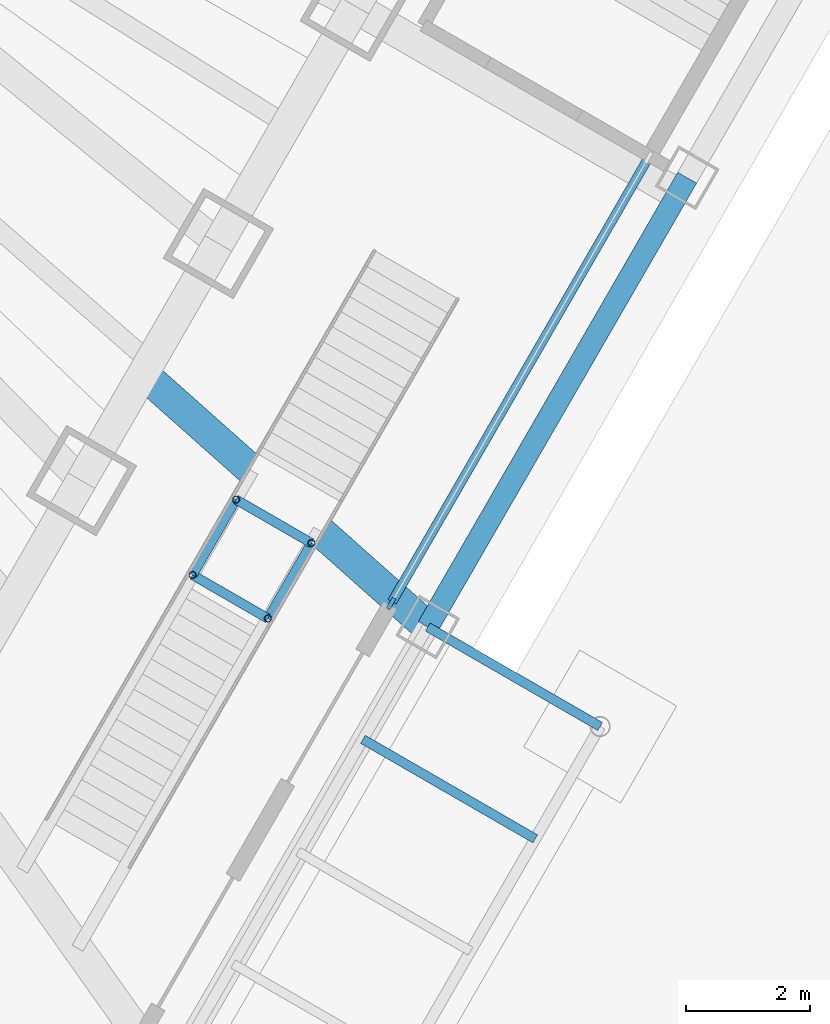
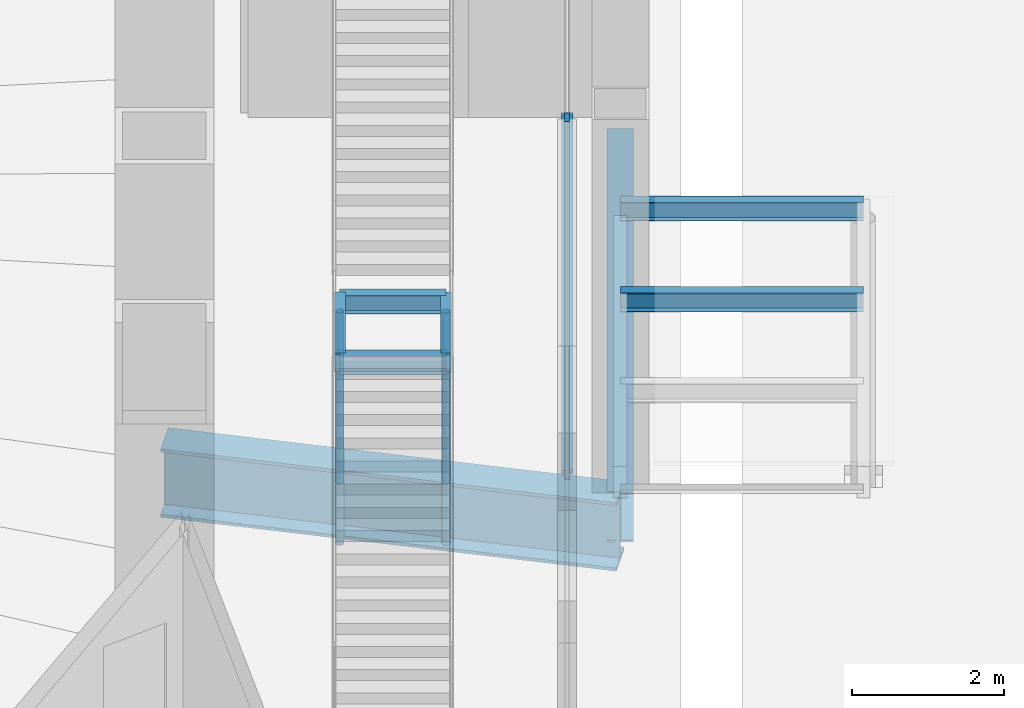
# One storey, part 15 of 45: 8 beams, 6 members, 1 element without a shape of its own.
"""IFC4 building model written with IfcOpenShell, lengths in metres."""

import ifcopenshell
import ifcopenshell.guid

model = None  # the IFC model being written
_history = None  # IfcOwnerHistory: only IFC2X3 demands one
_inside = {}  # id of a spatial element -> (the spatial element, [elements in it])
_under = {}  # id of a project, library or spatial element -> (it, [spatial elements below it])
_declared = {}  # id of a project -> (the project, [libraries it declares])
_typed = {}  # id of a type object -> (the type object, [elements of that type])
_made_of = {}  # id of a material, layer set ... -> (it, [elements and type objects made of it])


def new_model(schema):
    """Start an empty IFC model of exactly this schema.

    Asked for "IFC4X3", IfcOpenShell would pick the latest addendum, in which some entities
    have other attributes; the version numbers below select the first issue.
    IFC2X3 requires an IfcOwnerHistory on every rooted entity: one is made here for all.
    """
    global model, _history
    if schema == "IFC4X3":
        model = ifcopenshell.file(schema_version=(4, 3, 0, 0))
    else:
        model = ifcopenshell.file(schema=schema)
    _inside.clear()
    _under.clear()
    _declared.clear()
    _typed.clear()
    _made_of.clear()
    _history = None
    if model.schema == "IFC2X3":
        org = make("IfcOrganization", Name="unknown")
        user = make(
            "IfcPersonAndOrganization",
            ThePerson=make("IfcPerson", FamilyName="unknown"),
            TheOrganization=org,
        )
        app = make(
            "IfcApplication",
            ApplicationDeveloper=org,
            Version="unknown",
            ApplicationFullName="unknown",
            ApplicationIdentifier="unknown",
        )
        _history = make(
            "IfcOwnerHistory",
            OwningUser=user,
            OwningApplication=app,
            ChangeAction="ADDED",
            CreationDate=0,
        )
    return model


def make(cls, **values):
    """One entity of the class cls with the attributes given. An attribute that is None is left unset."""
    return model.create_entity(
        cls, **{name: value for name, value in values.items() if value is not None}
    )


def rooted(cls, **values):
    """An entity with a GlobalId (a new one), such as an element, a storey or a relation."""
    return make(cls, GlobalId=ifcopenshell.guid.new(), OwnerHistory=_history, **values)


def si_unit(unit_type, name, prefix=None):
    """IfcSIUnit, for example si_unit("LENGTHUNIT", "METRE", prefix="MILLI")."""
    return make("IfcSIUnit", UnitType=unit_type, Prefix=prefix, Name=name)


def assignment(units):
    """IfcUnitAssignment: the units of a project."""
    return None if units is None else make("IfcUnitAssignment", Units=units)


def point(xyz):
    """IfcCartesianPoint."""
    return None if xyz is None else make("IfcCartesianPoint", Coordinates=xyz)


def direction(xyz):
    """IfcDirection."""
    return None if xyz is None else make("IfcDirection", DirectionRatios=xyz)


def frame(location, z_axis=None, x_axis=None):
    """IfcAxis2Placement3D, a coordinate frame: its origin and axes. An axis left out is left unset."""
    return make(
        "IfcAxis2Placement3D",
        Location=point(location),
        Axis=direction(z_axis),
        RefDirection=direction(x_axis),
    )


def frame_2d(location, x_axis=None):
    """IfcAxis2Placement2D, a coordinate frame in the plane: its origin and x axis."""
    return make(
        "IfcAxis2Placement2D", Location=point(location), RefDirection=direction(x_axis)
    )


def origin():
    """The frame at (0, 0, 0) with its axes left unset."""
    return frame((0.0, 0.0, 0.0))


def origin_2d():
    """The frame at (0, 0) in the plane with its x axis left unset."""
    return frame_2d((0.0, 0.0))


def place(relative_to, where):
    """IfcLocalPlacement: puts the frame where relative to a parent placement (None: the world)."""
    return make(
        "IfcLocalPlacement", PlacementRelTo=relative_to, RelativePlacement=where
    )


def context(
    kind, dimensions, precision=None, world=None, true_north=None, identifier=None
):
    """IfcGeometricRepresentationContext, for example the 3D "Model" context."""
    return make(
        "IfcGeometricRepresentationContext",
        ContextIdentifier=identifier,
        ContextType=kind,
        CoordinateSpaceDimension=dimensions,
        Precision=precision,
        WorldCoordinateSystem=world,
        TrueNorth=true_north,
    )


def subcontext(parent, identifier, kind, view, scale=None):
    """IfcGeometricRepresentationSubContext, for example "Body" below "Model"."""
    return make(
        "IfcGeometricRepresentationSubContext",
        ContextIdentifier=identifier,
        ContextType=kind,
        ParentContext=parent,
        TargetScale=scale,
        TargetView=view,
    )


def project(units=None, contexts=None):
    """IfcProject with its units and contexts."""
    return rooted(
        "IfcProject",
        Name="project",
        RepresentationContexts=contexts,
        UnitsInContext=assignment(units),
    )


def spatial(cls, under=None, at=None, **own):
    """A site, building, storey or space (cls), placed at a placement, below another one or the project."""
    s = rooted(cls, ObjectPlacement=at, **own)
    if under is not None:
        _under.setdefault(under.id(), (under, []))[1].append(s)
    return s


def profile(cls, at=None, kind="AREA", **sizes):
    """A parametric profile (cls). Its sizes go by their IFC names, for example OverallWidth=200.0."""
    return make(cls, ProfileType=kind, Position=at, **sizes)


def rectangle(**sizes):
    """IfcRectangleProfileDef."""
    return profile("IfcRectangleProfileDef", **sizes)


def hollow_circle(**sizes):
    """IfcCircleHollowProfileDef."""
    return profile("IfcCircleHollowProfileDef", **sizes)


def i_section(**sizes):
    """IfcIShapeProfileDef."""
    return profile("IfcIShapeProfileDef", **sizes)


def extrude(swept, where, along, depth):
    """IfcExtrudedAreaSolid: the profile swept, set in the frame where, extruded along a direction by depth."""
    return make(
        "IfcExtrudedAreaSolid",
        SweptArea=swept,
        Position=where,
        ExtrudedDirection=direction(along),
        Depth=depth,
    )


def shape(context_of_items, identifier, shape_type, items):
    """IfcShapeRepresentation: the items that make up one representation, for example the "Body"."""
    return make(
        "IfcShapeRepresentation",
        ContextOfItems=context_of_items,
        RepresentationIdentifier=identifier,
        RepresentationType=shape_type,
        Items=items,
    )


def material(Name=None, Category=None):
    """IfcMaterial."""
    return make("IfcMaterial", Name=Name, Category=Category)


def material_profile(
    of_material, cross_section, Name=None, Category=None, Priority=None
):
    """IfcMaterialProfile: a cross section and its material."""
    return make(
        "IfcMaterialProfile",
        Name=Name,
        Material=of_material,
        Profile=cross_section,
        Priority=Priority,
        Category=Category,
    )


def profile_set(profiles, Name=None, composite=None):
    """IfcMaterialProfileSet."""
    return make(
        "IfcMaterialProfileSet",
        Name=Name,
        MaterialProfiles=profiles,
        CompositeProfile=composite,
    )


def made_of(thing, what):
    """Note that an element or type object is made of a material, layer set ...; save() writes the relation."""
    if what is not None:
        _made_of.setdefault(what.id(), (what, []))[1].append(thing)
    return thing


def type_object(cls, material=None, **own):
    """A type object (cls), such as IfcWallType, which elements share."""
    return made_of(rooted(cls, **own), material)


def element(
    cls,
    number,
    at=None,
    inside=None,
    cuts=None,
    type_object=None,
    material=None,
    context=None,
    identifier="Body",
    shape_type=None,
    held_by="IfcProductDefinitionShape",
    body=None,
    shapes=None,
    **own,
):
    """One element of the class cls, such as IfcWall. Its Tag is "e" and its number.

    at: its placement. inside: the storey or other place that contains it. cuts: it is an
    opening in that element (IfcRelVoidsElement). A single representation is given by context,
    identifier, shape_type and body (its items); several are given by shapes. held_by: the class
    of the entity that holds the representations. save() writes the other relations.
    """
    e = rooted(cls, Tag="e%d" % number, ObjectPlacement=at, **own)
    if body is not None:
        shapes = [shape(context, identifier, shape_type, body)]
    if shapes is not None:
        e.Representation = make(held_by, Representations=shapes)
    if inside is not None:
        _inside.setdefault(inside.id(), (inside, []))[1].append(e)
    if cuts is not None:
        rooted(
            "IfcRelVoidsElement", RelatingBuildingElement=cuts, RelatedOpeningElement=e
        )
    if type_object is not None:
        _typed.setdefault(type_object.id(), (type_object, []))[1].append(e)
    return made_of(e, material)


def aggregate(whole, parts):
    """IfcRelAggregates: a whole, such as a stair, and the parts it consists of."""
    return rooted("IfcRelAggregates", RelatingObject=whole, RelatedObjects=parts)


def save(model, path):
    """Write the relations noted so far, then the file.

    IfcRelAggregates (storeys below a building ...), IfcRelContainedInSpatialStructure (elements
    in a storey), IfcRelDefinesByType, IfcRelAssociatesMaterial and IfcRelDeclares: one each for
    every whole, place, type object, material and project.
    """
    for whole, parts in _under.values():
        aggregate(whole, parts)
    for where, things in _inside.values():
        rooted(
            "IfcRelContainedInSpatialStructure",
            RelatedElements=things,
            RelatingStructure=where,
        )
    for kind, things in _typed.values():
        rooted("IfcRelDefinesByType", RelatedObjects=things, RelatingType=kind)
    for what, things in _made_of.values():
        rooted("IfcRelAssociatesMaterial", RelatedObjects=things, RelatingMaterial=what)
    for by, libraries in _declared.values():
        rooted("IfcRelDeclares", RelatingContext=by, RelatedDefinitions=libraries)
    model.write(path)


model = new_model("IFC4")

# Units and contexts
model_context = context("Model", 3, precision=1e-05, world=origin(), true_north=direction((0.0, 1.0)))
body_context = subcontext(model_context, "Body", "Model", "MODEL_VIEW")
ifc_project = project(units=[si_unit("LENGTHUNIT", "METRE"), si_unit("AREAUNIT", "SQUARE_METRE"), si_unit("VOLUMEUNIT", "CUBIC_METRE"), si_unit("PLANEANGLEUNIT", "RADIAN"), si_unit("MASSUNIT", "GRAM", prefix="KILO")], contexts=[model_context])

# Site, building, storey
site_placement = place(None, origin())
site = spatial("IfcSite", under=ifc_project, at=site_placement, CompositionType="ELEMENT")
building_placement = place(site_placement, origin())
building = spatial("IfcBuilding", under=site, at=building_placement, Name="Qingtian Harvest Tower", CompositionType="ELEMENT")
storey_placement = place(building_placement, origin())
storey = spatial("IfcBuildingStorey", under=building, at=storey_placement, Name="L00", CompositionType="ELEMENT", Elevation=0.0)

# Beams
ifc_material_1 = material(Name="Steel SN490B", Category="steel")
ifc_material_profile_1 = material_profile(ifc_material_1, i_section(OverallWidth=0.14990234375, OverallDepth=0.300048828125, WebThickness=0.006591796875, FlangeThickness=0.009033203125, at=origin_2d()), Name="H300x150x6.5x9")
ifc_profile_set_1 = profile_set([ifc_material_profile_1], Name="Steel SN490B")
beam_type_1 = type_object("IfcBeamType", Name="Canopy beam CB1 H300x150x6.5x9", PredefinedType="BEAM", material=ifc_profile_set_1)
for number, where, z_axis, x_axis, name in (
    (1, (25.176513671875, -22.39306640625, 4.31005859375), (0.866042017984, -0.499971222258, 0.0), (0.499971222258, 0.866042017984, 0.0), "Canopy beam CB1 CN3 3"),
    (2, (24.1337890625, -24.198974609375, 4.31005859375), (0.866008981251, -0.500028443584, 0.0), (0.500028443584, 0.866008981251, 0.0), "Canopy rafter CB1 CN3 3.1"),
):
    element("IfcBeam", number, at=place(storey_placement, frame(where, z_axis=z_axis, x_axis=x_axis)), inside=storey, type_object=beam_type_1, Name=name, PredefinedType="BEAM", context=body_context, shape_type="SweptSolid", body=[
        extrude(i_section(OverallWidth=0.14990234375, OverallDepth=0.300048828125, WebThickness=0.006591796875, FlangeThickness=0.009033203125, at=origin_2d()), origin(), (0.0, 0.0, 1.0), 3.199951171875),
    ])
ifc_material_2 = material(Name="Steel SM570MC", Category="steel")
ifc_material_profile_2 = material_profile(ifc_material_2, i_section(OverallWidth=0.5, OverallDepth=1.10009765625, WebThickness=0.02490234375, FlangeThickness=0.050048828125, at=origin_2d()), Name="H1100x500x25x50")
ifc_profile_set_2 = profile_set([ifc_material_profile_2], Name="Steel SM570MC")
beam_type_2 = type_object("IfcBeamType", Name="Floor beam FB6 H1100x500x25x50", PredefinedType="BEAM", material=ifc_profile_set_2)
beam_1_placement = place(storey_placement, frame((25.176513671875, -22.39306640625, -0.800048828125), z_axis=(-0.747204806823, 0.664593843381, 0.0), x_axis=(-0.664593843381, -0.747204806823, 0.0)))
element("IfcBeam", 3, at=beam_1_placement, inside=storey, type_object=beam_type_2, Name="Podium floor beam FB6 SE3", PredefinedType="BEAM", context=body_context, shape_type="SweptSolid", body=[
    extrude(i_section(OverallWidth=0.5, OverallDepth=1.10009765625, WebThickness=0.02490234375, FlangeThickness=0.050048828125, at=origin_2d()), origin(), (0.0, 0.0, 1.0), 6.12646484375),
])
ifc_material_3 = material(Name="Steel SN490B", Category="steel")
ifc_material_profile_3 = material_profile(ifc_material_3, i_section(OverallWidth=0.14990234375, OverallDepth=0.300048828125, WebThickness=0.006591796875, FlangeThickness=0.009033203125, at=origin_2d()), Name="H300x150x6.5x9")
ifc_profile_set_3 = profile_set([ifc_material_profile_3], Name="Steel SN490B")
beam_type_3 = type_object("IfcBeamType", Name="Landing beam LB1 H300x150x6.5x9", PredefinedType="BEAM", material=ifc_profile_set_3)
for number, where, z_axis, x_axis, name in (
    (4, (22.606201171875, -22.256103515625, 2.64990234375), (-0.866034573852, 0.49998411664, 0.0), (-0.49998411664, -0.866034573852, 0.0), "Landing beam LB1 FS1 1"),
    (5, (23.30615234375, -21.043701171875, 2.64990234375), (-0.866034573852, 0.49998411664, 0.0), (-0.49998411664, -0.866034573852, 0.0), "Landing beam LB1 FS1 2"),
    (6, (22.606201171875, -22.256103515625, 2.64990234375), (0.49998411664, 0.866034573852, 0.0), (-0.866034573852, 0.49998411664, 0.0), "Landing beam LB1 FS1 3"),
    (7, (21.393798828125, -21.55615234375, 2.64990234375), (0.49998411664, 0.866034573852, 0.0), (-0.866034573852, 0.49998411664, 0.0), "Landing beam LB1 FS1 4"),
):
    element("IfcBeam", number, at=place(storey_placement, frame(where, z_axis=z_axis, x_axis=x_axis)), inside=storey, type_object=beam_type_3, Name=name, PredefinedType="BEAM", context=body_context, shape_type="SweptSolid", body=[
        extrude(i_section(OverallWidth=0.14990234375, OverallDepth=0.300048828125, WebThickness=0.006591796875, FlangeThickness=0.009033203125, at=origin_2d()), origin(), (0.0, 0.0, 1.0), 1.39990234375),
    ])

# Members
ifc_material_4 = material(Name="Steel SN490B", Category="steel")
ifc_material_profile_4 = material_profile(ifc_material_4, hollow_circle(Radius=0.05712890625, WallThickness=0.00634765625, at=origin_2d()), Name="CHS114.3x6.3")
ifc_profile_set_4 = profile_set([ifc_material_profile_4], Name="Steel SN490B")
member_type_1 = type_object("IfcMemberType", Name="Landing post LP1 CHS114.3x6.3", PredefinedType="POST", material=ifc_profile_set_4)
for number, where, z_axis, x_axis, name in (
    (8, (22.606201171875, -22.256103515625, -0.25), (0.0, 0.0, 1.0), (1.0, 0.0, 0.0), "Landing post LP1 FS1 1"),
    (9, (21.393798828125, -21.55615234375, -0.25), (0.0, 0.0, 1.0), (1.0, 0.0, 0.0), "Landing post LP1 FS1 2"),
    (10, (23.30615234375, -21.043701171875, -0.25), (0.0, 0.0, 1.0), (1.0, 0.0, 0.0), "Landing post LP1 FS1 3"),
    (11, (22.09375, -20.34375, -0.25), (0.0, 0.0, 1.0), (1.0, 0.0, 0.0), "Landing post LP1 FS1 4"),
):
    element("IfcMember", number, at=place(storey_placement, frame(where, z_axis=z_axis, x_axis=x_axis)), inside=storey, type_object=member_type_1, Name=name, PredefinedType="POST", context=body_context, shape_type="SweptSolid", body=[
        extrude(hollow_circle(Radius=0.05712890625, WallThickness=0.00634765625, at=origin_2d()), origin(), (0.0, 0.0, 1.0), 2.75),
    ])

# Curtain wall, member
ifc_material_5 = material(Name="Bronze-anodised aluminium curtain wall", Category="aluminium")
curtain_wall_type = type_object("IfcCurtainWallType", Name="Curtain wall CW1 podium shopfront", PredefinedType="USERDEFINED", material=ifc_material_5)
curtain_wall_placement = place(storey_placement, origin())
curtain_wall = element("IfcCurtainWall", 12, at=curtain_wall_placement, inside=storey, type_object=curtain_wall_type, Name="Curtain wall CW1 L00 SE2", ObjectType="RECESSED CURTAIN WALL", PredefinedType="USERDEFINED")
ifc_material_6 = material(Name="Bronze-anodised aluminium mullion", Category="aluminium")
ifc_material_profile_5 = material_profile(ifc_material_6, rectangle(XDim=0.06494140625, YDim=0.199951171875, at=origin_2d()), Name="AL 65x200")
ifc_profile_set_5 = profile_set([ifc_material_profile_5], Name="Bronze-anodised aluminium mullion")
member_type_2 = type_object("IfcMemberType", Name="Mullion CWM 65x200", PredefinedType="MULLION", material=ifc_profile_set_5)
member_1_placement = place(storey_placement, frame((24.586669921875, -22.014892578125, 0.0), z_axis=(0.0, 0.0, 1.0), x_axis=(0.866025403784, -0.5, 0.0)))
member_1 = element("IfcMember", 13, at=member_1_placement, type_object=member_type_2, Name="CW1 mullion 2", PredefinedType="MULLION", context=body_context, shape_type="SweptSolid", body=[
    extrude(rectangle(XDim=0.06494140625, YDim=0.199951171875, at=origin_2d()), origin(), (0.0, 0.0, 1.0), 5.75),
])

# Beam
ifc_material_7 = material(Name="Steel SN490B", Category="steel")
ifc_material_profile_6 = material_profile(ifc_material_7, i_section(OverallWidth=0.35009765625, OverallDepth=0.800048828125, WebThickness=0.01611328125, FlangeThickness=0.028076171875, at=origin_2d()), Name="H800x350x16x28")
ifc_profile_set_6 = profile_set([ifc_material_profile_6], Name="Steel SN490B")
beam_type_4 = type_object("IfcBeamType", Name="Podium beam PB1 H800x350x16x28", PredefinedType="BEAM", material=ifc_profile_set_6)
beam_2_placement = place(storey_placement, frame((29.347412109375, -15.168701171875, -0.64990234375), z_axis=(-0.499991838624, -0.866030115706, 0.0), x_axis=(0.866030115706, -0.499991838624, 0.0)))
element("IfcBeam", 14, at=beam_2_placement, inside=storey, type_object=beam_type_4, Name="Podium edge beam PB1 SE2", PredefinedType="BEAM", context=body_context, shape_type="SweptSolid", body=[
    extrude(i_section(OverallWidth=0.35009765625, OverallDepth=0.800048828125, WebThickness=0.01611328125, FlangeThickness=0.028076171875, at=origin_2d()), origin(), (0.0, 0.0, 1.0), 8.342041015625),
])

# Member
ifc_material_8 = material(Name="Bronze-anodised aluminium transom", Category="aluminium")
ifc_material_profile_7 = material_profile(ifc_material_8, rectangle(XDim=0.14990234375, YDim=0.06494140625, at=origin_2d()), Name="AL 65x150")
ifc_profile_set_7 = profile_set([ifc_material_profile_7], Name="Bronze-anodised aluminium transom")
member_type_3 = type_object("IfcMemberType", Name="Transom CWT 65x150", PredefinedType="USERDEFINED", material=ifc_profile_set_7)
member_2_placement = place(storey_placement, frame((28.708740234375, -14.875, 0.032470703125), z_axis=(-0.499995243048, -0.866028150195, 0.0), x_axis=(0.866028150195, -0.499995243048, 0.0)))
member_2 = element("IfcMember", 15, at=member_2_placement, type_object=member_type_3, Name="CW1 transom 1.1", ObjectType="TRANSOM", PredefinedType="USERDEFINED", context=body_context, shape_type="SweptSolid", body=[
    extrude(rectangle(XDim=0.14990234375, YDim=0.06494140625, at=origin_2d()), origin(), (0.0, 0.0, 1.0), 8.2119140625),
])

aggregate(curtain_wall, [member_1, member_2])

save(model, "model.ifc")
